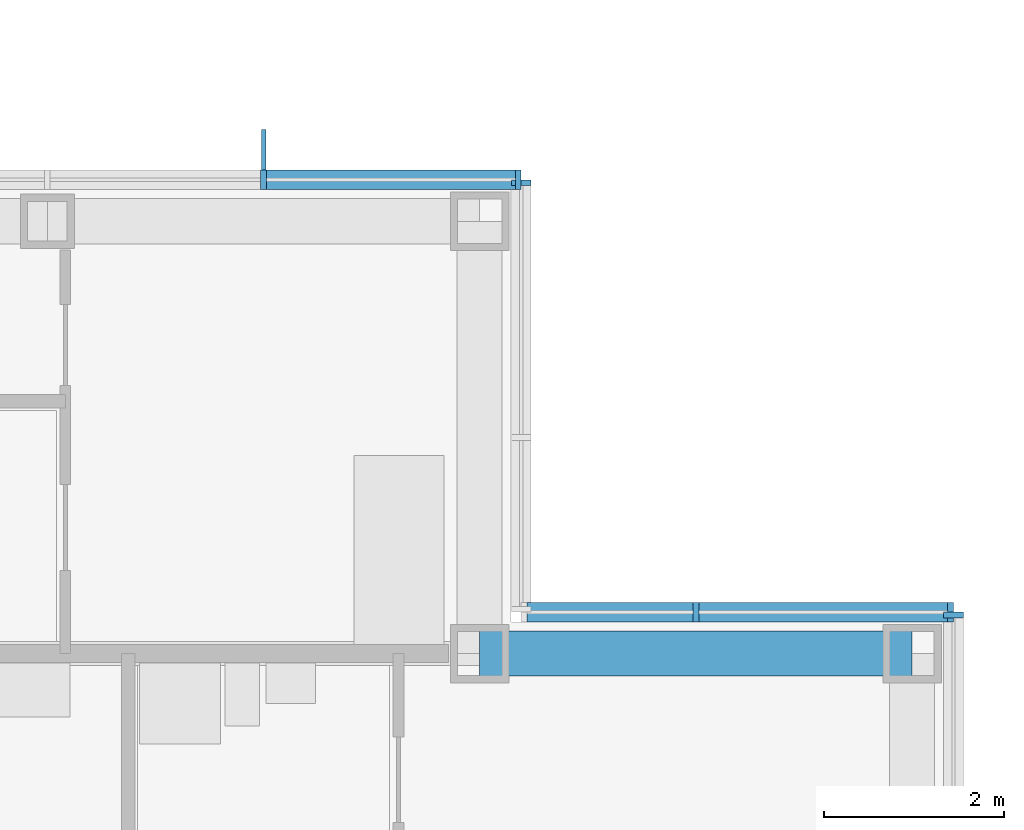
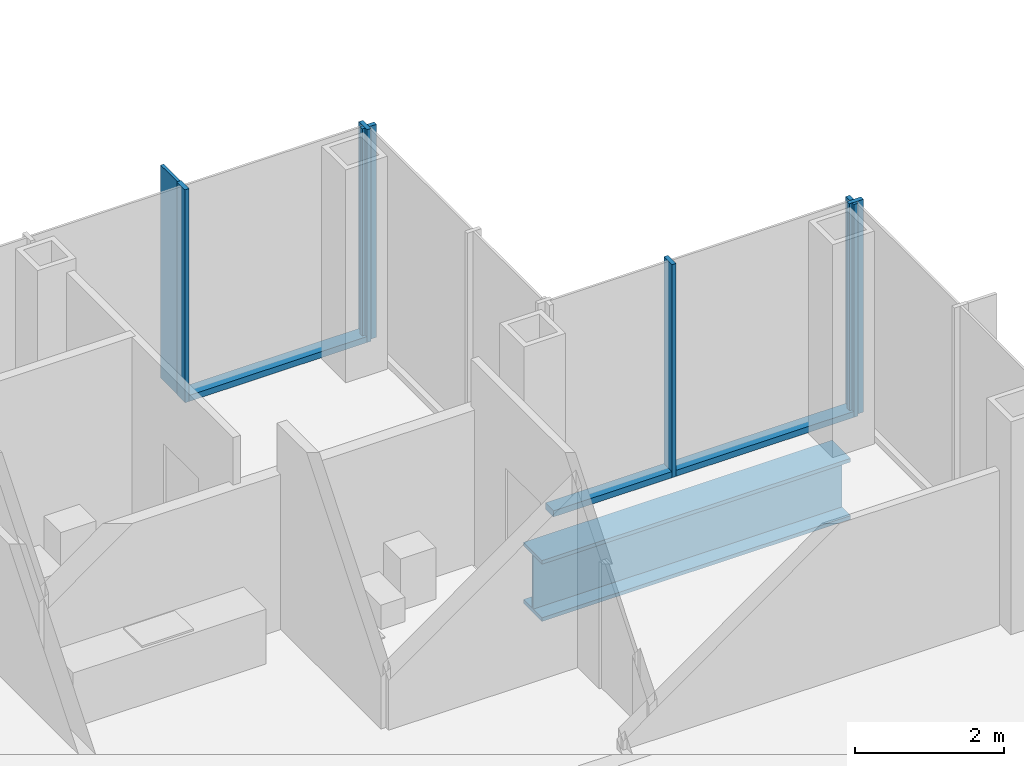
# One storey, part 9 of 20: 10 members, 1 beam, 4 elements without a shape of their own.
"""IFC4 building model written with IfcOpenShell, lengths in metres."""

from ifc_helpers import new_model, si_unit, direction, frame, origin, origin_2d, place, context, subcontext, project, spatial, rectangle, i_section, extrude, material, material_profile, profile_set, type_object, element, aggregate, save


model = new_model("IFC4")

# Units and contexts
model_context = context("Model", 3, precision=1e-05, world=origin(), true_north=direction((0.0, 1.0)))
body_context = subcontext(model_context, "Body", "Model", "MODEL_VIEW")
ifc_project = project(units=[si_unit("LENGTHUNIT", "METRE"), si_unit("AREAUNIT", "SQUARE_METRE"), si_unit("VOLUMEUNIT", "CUBIC_METRE"), si_unit("PLANEANGLEUNIT", "RADIAN"), si_unit("MASSUNIT", "GRAM", prefix="KILO")], contexts=[model_context])

# Site, building, storey
site_placement = place(None, origin())
site = spatial("IfcSite", under=ifc_project, at=site_placement, CompositionType="ELEMENT")
building_placement = place(site_placement, origin())
building = spatial("IfcBuilding", under=site, at=building_placement, Name="Kvirike Care Tower", CompositionType="ELEMENT")
storey_placement = place(building_placement, frame((0.0, 0.0, 91.0)))
storey = spatial("IfcBuildingStorey", under=building, at=storey_placement, Name="L24", CompositionType="ELEMENT", Elevation=91.0)

# Curtain wall, member
ifc_material_1 = material(Name="Anodised aluminium stick system", Category="aluminium")
curtain_wall_type = type_object("IfcCurtainWallType", Name="CW-B STICK CURTAIN WALL", PredefinedType="NOTDEFINED", material=ifc_material_1)
curtain_wall_1_placement = place(storey_placement, origin())
curtain_wall_1 = element("IfcCurtainWall", 1, at=curtain_wall_1_placement, inside=storey, type_object=curtain_wall_type, Name="Curtain wall L24 face 4", PredefinedType="NOTDEFINED")
ifc_material_2 = material(Name="Bronze anodised aluminium fin", Category="aluminium")
ifc_material_profile_1 = material_profile(ifc_material_2, rectangle(XDim=0.050048828125, YDim=0.449951171875, at=origin_2d()), Name="BRONZE FIN 450")
ifc_profile_set_1 = profile_set([ifc_material_profile_1], Name="Bronze anodised aluminium fin")
member_type_1 = type_object("IfcMemberType", Name="BRONZE FIN 450", PredefinedType="USERDEFINED", material=ifc_profile_set_1)
member_1_placement = place(storey_placement, frame((36.0, 43.9951171875, 0.0), z_axis=(0.0, 0.0, 1.0), x_axis=(-1.0, 0.0, 0.0)))
member_1 = element("IfcMember", 2, at=member_1_placement, type_object=member_type_1, Name="Bronze fin L24 face 4.2", ObjectType="FIN", PredefinedType="USERDEFINED", context=body_context, shape_type="SweptSolid", body=[
    extrude(rectangle(XDim=0.050048828125, YDim=0.449951171875, at=origin_2d()), origin(), (0.0, 0.0, 1.0), 3.5),
])

curtain_wall_2_placement = place(storey_placement, origin())
curtain_wall_2 = element("IfcCurtainWall", 3, at=curtain_wall_2_placement, inside=storey, type_object=curtain_wall_type, Name="Curtain wall L24 face 1", PredefinedType="NOTDEFINED")
ifc_material_3 = material(Name="Bronze anodised aluminium mullion", Category="aluminium")
ifc_material_profile_2 = material_profile(ifc_material_3, rectangle(XDim=0.06494140625, YDim=0.219970703125, at=origin_2d()), Name="CW-B MULLION 65x220")
ifc_profile_set_2 = profile_set([ifc_material_profile_2], Name="Bronze anodised aluminium mullion")
member_type_2 = type_object("IfcMemberType", Name="CW-B MULLION 65x220", PredefinedType="MULLION", material=ifc_profile_set_2)
member_2_placement = place(storey_placement, frame((43.659912109375, 38.827392578125, 0.0), z_axis=(0.0, 0.0, 1.0), x_axis=(0.0, 1.0, 0.0)))
member_2 = element("IfcMember", 4, at=member_2_placement, type_object=member_type_2, Name="CW-B mullion L24 face 1.9", PredefinedType="MULLION", context=body_context, shape_type="SweptSolid", body=[
    extrude(rectangle(XDim=0.06494140625, YDim=0.219970703125, at=origin_2d()), origin(), (0.0, 0.0, 1.0), 3.5),
])
aggregate(curtain_wall_2, [member_2])

# Curtain wall, members
curtain_wall_3_placement = place(storey_placement, origin())
curtain_wall_3 = element("IfcCurtainWall", 5, at=curtain_wall_3_placement, inside=storey, type_object=curtain_wall_type, Name="Curtain wall L24 face 2", PredefinedType="NOTDEFINED")
member_3_placement = place(storey_placement, frame((43.62744140625, 38.860107421875, 0.0), z_axis=(0.0, 0.0, 1.0), x_axis=(-1.0, 0.0, 0.0)))
member_3 = element("IfcMember", 6, at=member_3_placement, type_object=member_type_2, Name="CW-B mullion L24 face 2.1", PredefinedType="MULLION", context=body_context, shape_type="SweptSolid", body=[
    extrude(rectangle(XDim=0.06494140625, YDim=0.219970703125, at=origin_2d()), origin(), (0.0, 0.0, 1.0), 3.5),
])
member_4_placement = place(storey_placement, frame((40.800048828125, 38.860107421875, 0.0), z_axis=(0.0, 0.0, 1.0), x_axis=(-1.0, 0.0, 0.0)))
member_4 = element("IfcMember", 7, at=member_4_placement, type_object=member_type_2, Name="CW-B mullion L24 face 2.2", PredefinedType="MULLION", context=body_context, shape_type="SweptSolid", body=[
    extrude(rectangle(XDim=0.06494140625, YDim=0.219970703125, at=origin_2d()), origin(), (0.0, 0.0, 1.0), 3.5),
])

# Curtain wall, member
curtain_wall_4_placement = place(storey_placement, origin())
curtain_wall_4 = element("IfcCurtainWall", 8, at=curtain_wall_4_placement, inside=storey, type_object=curtain_wall_type, Name="Curtain wall L24 face 3", PredefinedType="NOTDEFINED")
member_5_placement = place(storey_placement, frame((38.860107421875, 43.62744140625, 0.0), z_axis=(0.0, 0.0, 1.0), x_axis=(0.0, 1.0, 0.0)))
member_5 = element("IfcMember", 9, at=member_5_placement, type_object=member_type_2, Name="CW-B mullion L24 face 3.3", PredefinedType="MULLION", context=body_context, shape_type="SweptSolid", body=[
    extrude(rectangle(XDim=0.06494140625, YDim=0.219970703125, at=origin_2d()), origin(), (0.0, 0.0, 1.0), 3.5),
])
aggregate(curtain_wall_4, [member_5])

# Member
member_6_placement = place(storey_placement, frame((38.827392578125, 43.659912109375, 0.0), z_axis=(0.0, 0.0, 1.0), x_axis=(-1.0, 0.0, 0.0)))
member_6 = element("IfcMember", 10, at=member_6_placement, type_object=member_type_2, Name="CW-B mullion L24 face 4.1", PredefinedType="MULLION", context=body_context, shape_type="SweptSolid", body=[
    extrude(rectangle(XDim=0.06494140625, YDim=0.219970703125, at=origin_2d()), origin(), (0.0, 0.0, 1.0), 3.5),
])

member_7_placement = place(storey_placement, frame((36.0, 43.659912109375, 0.0), z_axis=(0.0, 0.0, 1.0), x_axis=(-1.0, 0.0, 0.0)))
member_7 = element("IfcMember", 11, at=member_7_placement, type_object=member_type_2, Name="CW-B mullion L24 face 4.2", PredefinedType="MULLION", context=body_context, shape_type="SweptSolid", body=[
    extrude(rectangle(XDim=0.06494140625, YDim=0.219970703125, at=origin_2d()), origin(), (0.0, 0.0, 1.0), 3.5),
])

ifc_material_4 = material(Name="Bronze anodised aluminium transom", Category="aluminium")
ifc_material_profile_3 = material_profile(ifc_material_4, rectangle(XDim=0.219970703125, YDim=0.10009765625, at=origin_2d()), Name="CW-B TRANSOM 220x100")
ifc_profile_set_3 = profile_set([ifc_material_profile_3], Name="Bronze anodised aluminium transom")
member_type_3 = type_object("IfcMemberType", Name="CW-B TRANSOM 220x100", PredefinedType="USERDEFINED", material=ifc_profile_set_3)
member_8_placement = place(storey_placement, frame((43.594970703125, 38.860107421875, 0.050048828125), z_axis=(-1.0, 0.0, 0.0), x_axis=(0.0, -1.0, 0.0)))
member_8 = element("IfcMember", 12, at=member_8_placement, type_object=member_type_3, Name="CW-B sill transom L24 face 2.1", ObjectType="TRANSOM", PredefinedType="USERDEFINED", context=body_context, shape_type="SweptSolid", body=[
    extrude(rectangle(XDim=0.219970703125, YDim=0.10009765625, at=origin_2d()), origin(), (0.0, 0.0, 1.0), 2.762451171875),
])

member_9_placement = place(storey_placement, frame((40.767578125, 38.860107421875, 0.050048828125), z_axis=(-1.0, 0.0, 0.0), x_axis=(0.0, -1.0, 0.0)))
member_9 = element("IfcMember", 13, at=member_9_placement, type_object=member_type_3, Name="CW-B sill transom L24 face 2.2", ObjectType="TRANSOM", PredefinedType="USERDEFINED", context=body_context, shape_type="SweptSolid", body=[
    extrude(rectangle(XDim=0.219970703125, YDim=0.10009765625, at=origin_2d()), origin(), (0.0, 0.0, 1.0), 1.842529296875),
])

aggregate(curtain_wall_3, [member_3, member_4, member_8, member_9])

member_10_placement = place(storey_placement, frame((38.794921875, 43.659912109375, 0.050048828125), z_axis=(-1.0, 0.0, 0.0), x_axis=(0.0, -1.0, 0.0)))
member_10 = element("IfcMember", 14, at=member_10_placement, type_object=member_type_3, Name="CW-B sill transom L24 face 4.1", ObjectType="TRANSOM", PredefinedType="USERDEFINED", context=body_context, shape_type="SweptSolid", body=[
    extrude(rectangle(XDim=0.219970703125, YDim=0.10009765625, at=origin_2d()), origin(), (0.0, 0.0, 1.0), 2.762451171875),
])

aggregate(curtain_wall_1, [member_6, member_7, member_1, member_10])

# Beam
ifc_material_5 = material(Name="Steel S355", Category="steel")
ifc_material_profile_4 = material_profile(ifc_material_5, i_section(OverallWidth=0.5, OverallDepth=1.0, WebThickness=0.030029296875, FlangeThickness=0.06005859375, at=origin_2d()), Name="PG 1000x500x30x60")
ifc_profile_set_4 = profile_set([ifc_material_profile_4], Name="Steel S355")
beam_type = type_object("IfcBeamType", Name="SPANDREL PG 1000x500x30x60", PredefinedType="SPANDREL", material=ifc_profile_set_4)
beam_placement = place(storey_placement, frame((38.39990234375, 38.39990234375, -0.669921875), z_axis=(1.0, 0.0, 0.0), x_axis=(0.0, 1.0, 0.0)))
element("IfcBeam", 15, at=beam_placement, inside=storey, type_object=beam_type, Name="Spandrel J11-J12 L24", PredefinedType="SPANDREL", context=body_context, shape_type="SweptSolid", body=[
    extrude(i_section(OverallWidth=0.5, OverallDepth=1.0, WebThickness=0.030029296875, FlangeThickness=0.06005859375, at=origin_2d()), origin(), (0.0, 0.0, 1.0), 4.800048828125),
])

save(model, "model.ifc")
